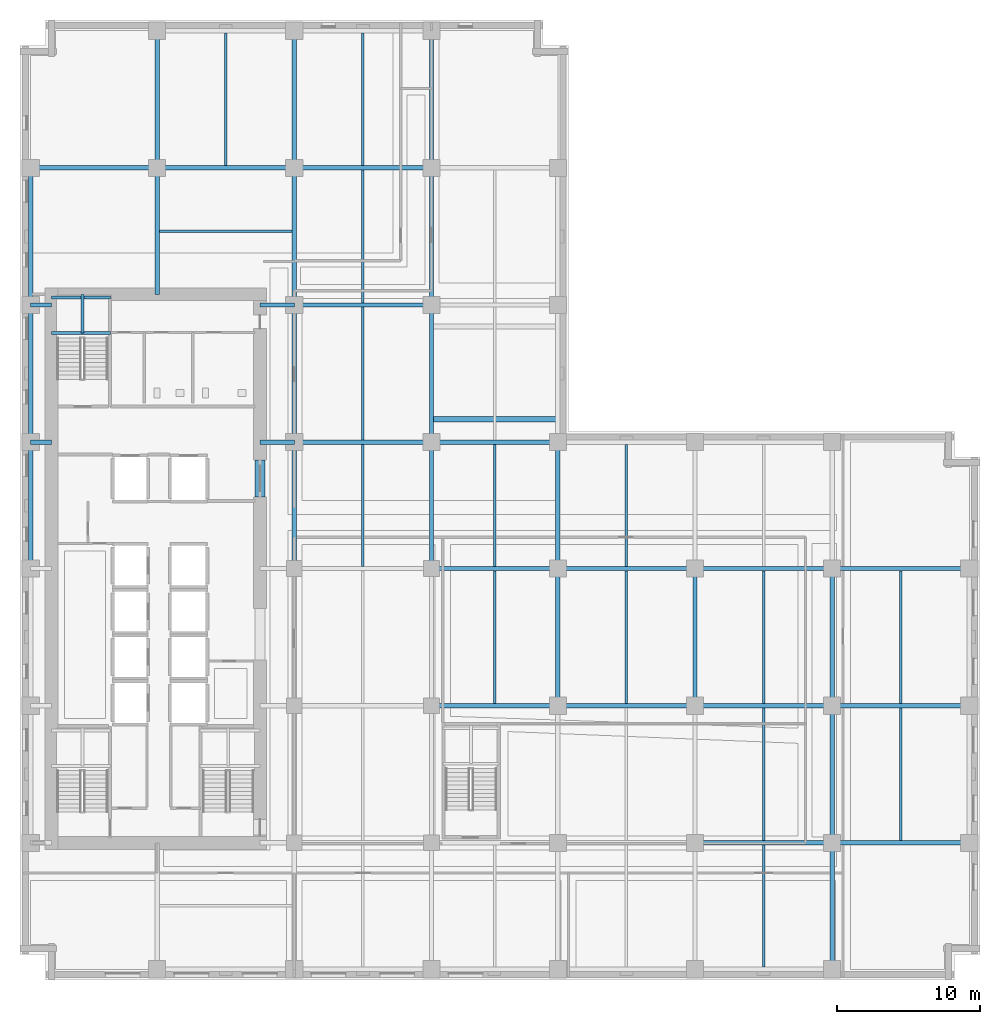
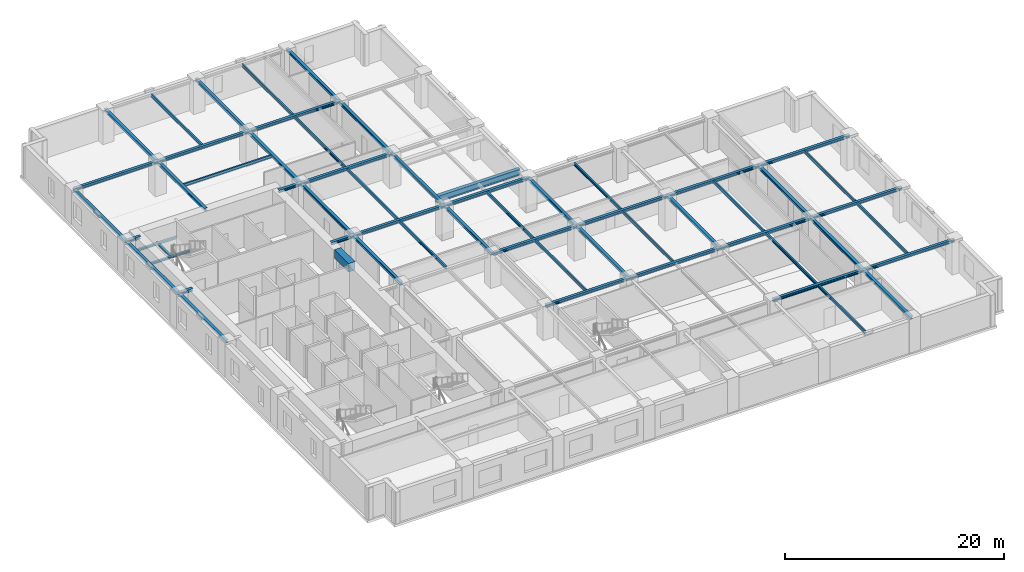
# One storey, part 2 of 13: 59 beams.
"""IFC4 building model written with IfcOpenShell, lengths in metres."""

from ifc_helpers import new_model, si_unit, direction, frame, origin, origin_2d, place, context, subcontext, project, spatial, rectangle, i_section, extrude, material, material_profile, profile_set, type_object, element, save


model = new_model("IFC4")

# Units and contexts
model_context = context("Model", 3, precision=1e-05, world=origin(), true_north=direction((0.0, 1.0)))
body_context = subcontext(model_context, "Body", "Model", "MODEL_VIEW")
ifc_project = project(units=[si_unit("LENGTHUNIT", "METRE"), si_unit("AREAUNIT", "SQUARE_METRE"), si_unit("VOLUMEUNIT", "CUBIC_METRE"), si_unit("PLANEANGLEUNIT", "RADIAN"), si_unit("MASSUNIT", "GRAM", prefix="KILO")], contexts=[model_context])

# Site, building, storey
site_placement = place(None, origin())
site = spatial("IfcSite", under=ifc_project, at=site_placement, CompositionType="ELEMENT")
building_placement = place(site_placement, origin())
building = spatial("IfcBuilding", under=site, at=building_placement, Name="Norrvale University Quadrangle", CompositionType="ELEMENT")
storey_placement = place(building_placement, frame((0.0, 0.0, 54.60009765625)))
storey = spatial("IfcBuildingStorey", under=building, at=storey_placement, Name="L13", CompositionType="ELEMENT", Elevation=54.60009765625)

# Beams
ifc_material_1 = material(Name="Steel 350W", Category="steel")
ifc_material_profile_1 = material_profile(ifc_material_1, i_section(OverallWidth=0.35498046875, OverallDepth=0.695068359375, WebThickness=0.015380859375, FlangeThickness=0.02490234375, FilletRadius=0.01806640625, at=origin_2d()), Name="Steel 350W")
ifc_profile_set_1 = profile_set([ifc_material_profile_1], Name="Steel 350W")
beam_type_1 = type_object("IfcBeamType", Name="Beam Belt W690x217", PredefinedType="BEAM", material=ifc_profile_set_1)
beam_1_placement = place(storey_placement, frame((28.800048828125, 39.25, 3.15234375), z_axis=(1.0, 0.0, 0.0), x_axis=(0.0, 1.0, 0.0)))
element("IfcBeam", 1, at=beam_1_placement, inside=storey, type_object=beam_type_1, Name="Sky Garden Loggia Edge Girder L14-1", PredefinedType="BEAM", context=body_context, shape_type="SweptSolid", body=[
    extrude(i_section(OverallWidth=0.35498046875, OverallDepth=0.695068359375, WebThickness=0.015380859375, FlangeThickness=0.02490234375, FilletRadius=0.01806640625, at=origin_2d()), origin(), (0.0, 0.0, 1.0), 8.849853515625),
])
ifc_material_profile_2 = material_profile(ifc_material_1, i_section(OverallWidth=0.1669921875, OverallDepth=0.31689453125, WebThickness=0.007568359375, FlangeThickness=0.01318359375, FilletRadius=0.010009765625, at=origin_2d()), Name="Steel 350W")
ifc_profile_set_2 = profile_set([ifc_material_profile_2], Name="Steel 350W")
beam_type_2 = type_object("IfcBeamType", Name="Beam Canopy Purlin W310x52", PredefinedType="USERDEFINED", material=ifc_profile_set_2)
beam_2_placement = place(storey_placement, frame((14.39990234375, 57.00244140625, 3.38134765625), z_axis=(0.0, 1.0, 0.0), x_axis=(-1.0, 0.0, 0.0)))
element("IfcBeam", 2, at=beam_2_placement, inside=storey, type_object=beam_type_2, Name="Beam Canopy Purlin W310x52 BM-L13-J079", ObjectType="PURLIN", PredefinedType="USERDEFINED", context=body_context, shape_type="SweptSolid", body=[
    extrude(i_section(OverallWidth=0.1669921875, OverallDepth=0.31689453125, WebThickness=0.007568359375, FlangeThickness=0.01318359375, FilletRadius=0.010009765625, at=origin_2d()), origin(), (0.0, 0.0, 1.0), 9.295166015625),
])
beam_3_placement = place(storey_placement, frame((24.0, 28.952392578125, 3.38134765625), z_axis=(0.0, 1.0, 0.0), x_axis=(-1.0, 0.0, 0.0)))
element("IfcBeam", 3, at=beam_3_placement, inside=storey, type_object=beam_type_2, Name="Beam Canopy Purlin W310x52 BM-L13-J083", ObjectType="PURLIN", PredefinedType="USERDEFINED", context=body_context, shape_type="SweptSolid", body=[
    extrude(i_section(OverallWidth=0.1669921875, OverallDepth=0.31689453125, WebThickness=0.007568359375, FlangeThickness=0.01318359375, FilletRadius=0.010009765625, at=origin_2d()), origin(), (0.0, 0.0, 1.0), 8.545166015625),
])
for number, where, z_axis, x_axis, name in (
    (4, (24.0, 37.802490234375, 3.38134765625), (0.0, 1.0, 0.0), (-1.0, 0.0, 0.0), "Beam Canopy Purlin W310x52 BM-L13-J084"),
    (5, (24.0, 47.402587890625, 3.38134765625), (0.0, 1.0, 0.0), (-1.0, 0.0, 0.0), "Beam Canopy Purlin W310x52 BM-L13-J085"),
):
    element("IfcBeam", number, at=place(storey_placement, frame(where, z_axis=z_axis, x_axis=x_axis)), inside=storey, type_object=beam_type_2, Name=name, ObjectType="PURLIN", PredefinedType="USERDEFINED", context=body_context, shape_type="SweptSolid", body=[
        extrude(i_section(OverallWidth=0.1669921875, OverallDepth=0.31689453125, WebThickness=0.007568359375, FlangeThickness=0.01318359375, FilletRadius=0.010009765625, at=origin_2d()), origin(), (0.0, 0.0, 1.0), 9.294921875),
    ])
beam_4_placement = place(storey_placement, frame((24.0, 57.00244140625, 3.38134765625), z_axis=(0.0, 1.0, 0.0), x_axis=(-1.0, 0.0, 0.0)))
element("IfcBeam", 6, at=beam_4_placement, inside=storey, type_object=beam_type_2, Name="Beam Canopy Purlin W310x52 BM-L13-J086", ObjectType="PURLIN", PredefinedType="USERDEFINED", context=body_context, shape_type="SweptSolid", body=[
    extrude(i_section(OverallWidth=0.1669921875, OverallDepth=0.31689453125, WebThickness=0.007568359375, FlangeThickness=0.01318359375, FilletRadius=0.010009765625, at=origin_2d()), origin(), (0.0, 0.0, 1.0), 9.295166015625),
])
beam_5_placement = place(storey_placement, frame((33.22509765625, 19.3525390625, 3.38134765625), z_axis=(0.0, 1.0, 0.0), x_axis=(-1.0, 0.0, 0.0)))
element("IfcBeam", 7, at=beam_5_placement, inside=storey, type_object=beam_type_2, Name="Beam Canopy Purlin W310x52 BM-L13-J088", ObjectType="PURLIN", PredefinedType="USERDEFINED", context=body_context, shape_type="SweptSolid", body=[
    extrude(i_section(OverallWidth=0.1669921875, OverallDepth=0.31689453125, WebThickness=0.007568359375, FlangeThickness=0.01318359375, FilletRadius=0.010009765625, at=origin_2d()), origin(), (0.0, 0.0, 1.0), 9.294921875),
])
beam_6_placement = place(storey_placement, frame((33.22509765625, 28.952392578125, 3.38134765625), z_axis=(0.0, 1.0, 0.0), x_axis=(-1.0, 0.0, 0.0)))
element("IfcBeam", 8, at=beam_6_placement, inside=storey, type_object=beam_type_2, Name="Beam Canopy Purlin W310x52 BM-L13-J089", ObjectType="PURLIN", PredefinedType="USERDEFINED", context=body_context, shape_type="SweptSolid", body=[
    extrude(i_section(OverallWidth=0.1669921875, OverallDepth=0.31689453125, WebThickness=0.007568359375, FlangeThickness=0.01318359375, FilletRadius=0.010009765625, at=origin_2d()), origin(), (0.0, 0.0, 1.0), 8.545166015625),
])
beam_7_placement = place(storey_placement, frame((42.449951171875, 19.3525390625, 3.38134765625), z_axis=(0.0, 1.0, 0.0), x_axis=(-1.0, 0.0, 0.0)))
element("IfcBeam", 9, at=beam_7_placement, inside=storey, type_object=beam_type_2, Name="Beam Canopy Purlin W310x52 BM-L13-J094", ObjectType="PURLIN", PredefinedType="USERDEFINED", context=body_context, shape_type="SweptSolid", body=[
    extrude(i_section(OverallWidth=0.1669921875, OverallDepth=0.31689453125, WebThickness=0.007568359375, FlangeThickness=0.01318359375, FilletRadius=0.010009765625, at=origin_2d()), origin(), (0.0, 0.0, 1.0), 9.294921875),
])
beam_8_placement = place(storey_placement, frame((42.449951171875, 28.952392578125, 3.38134765625), z_axis=(0.0, 1.0, 0.0), x_axis=(-1.0, 0.0, 0.0)))
element("IfcBeam", 10, at=beam_8_placement, inside=storey, type_object=beam_type_2, Name="Beam Canopy Purlin W310x52 BM-L13-J095", ObjectType="PURLIN", PredefinedType="USERDEFINED", context=body_context, shape_type="SweptSolid", body=[
    extrude(i_section(OverallWidth=0.1669921875, OverallDepth=0.31689453125, WebThickness=0.007568359375, FlangeThickness=0.01318359375, FilletRadius=0.010009765625, at=origin_2d()), origin(), (0.0, 0.0, 1.0), 8.545166015625),
])
beam_9_placement = place(storey_placement, frame((52.050048828125, 0.902587890625, 3.38134765625), z_axis=(0.0, 1.0, 0.0), x_axis=(-1.0, 0.0, 0.0)))
element("IfcBeam", 11, at=beam_9_placement, inside=storey, type_object=beam_type_2, Name="Beam Canopy Purlin W310x52 BM-L13-J096", ObjectType="PURLIN", PredefinedType="USERDEFINED", context=body_context, shape_type="SweptSolid", body=[
    extrude(i_section(OverallWidth=0.1669921875, OverallDepth=0.31689453125, WebThickness=0.007568359375, FlangeThickness=0.01318359375, FilletRadius=0.010009765625, at=origin_2d()), origin(), (0.0, 0.0, 1.0), 8.544921875),
])
beam_10_placement = place(storey_placement, frame((52.050048828125, 9.75244140625, 3.38134765625), z_axis=(0.0, 1.0, 0.0), x_axis=(-1.0, 0.0, 0.0)))
element("IfcBeam", 12, at=beam_10_placement, inside=storey, type_object=beam_type_2, Name="Beam Canopy Purlin W310x52 BM-L13-J097", ObjectType="PURLIN", PredefinedType="USERDEFINED", context=body_context, shape_type="SweptSolid", body=[
    extrude(i_section(OverallWidth=0.1669921875, OverallDepth=0.31689453125, WebThickness=0.007568359375, FlangeThickness=0.01318359375, FilletRadius=0.010009765625, at=origin_2d()), origin(), (0.0, 0.0, 1.0), 9.295166015625),
])
beam_11_placement = place(storey_placement, frame((52.050048828125, 19.3525390625, 3.38134765625), z_axis=(0.0, 1.0, 0.0), x_axis=(-1.0, 0.0, 0.0)))
element("IfcBeam", 13, at=beam_11_placement, inside=storey, type_object=beam_type_2, Name="Beam Canopy Purlin W310x52 BM-L13-J098", ObjectType="PURLIN", PredefinedType="USERDEFINED", context=body_context, shape_type="SweptSolid", body=[
    extrude(i_section(OverallWidth=0.1669921875, OverallDepth=0.31689453125, WebThickness=0.007568359375, FlangeThickness=0.01318359375, FilletRadius=0.010009765625, at=origin_2d()), origin(), (0.0, 0.0, 1.0), 9.294921875),
])
beam_12_placement = place(storey_placement, frame((61.64990234375, 9.75244140625, 3.38134765625), z_axis=(0.0, 1.0, 0.0), x_axis=(-1.0, 0.0, 0.0)))
element("IfcBeam", 14, at=beam_12_placement, inside=storey, type_object=beam_type_2, Name="Beam Canopy Purlin W310x52 BM-L13-J100", ObjectType="PURLIN", PredefinedType="USERDEFINED", context=body_context, shape_type="SweptSolid", body=[
    extrude(i_section(OverallWidth=0.1669921875, OverallDepth=0.31689453125, WebThickness=0.007568359375, FlangeThickness=0.01318359375, FilletRadius=0.010009765625, at=origin_2d()), origin(), (0.0, 0.0, 1.0), 9.295166015625),
])
beam_13_placement = place(storey_placement, frame((61.64990234375, 19.3525390625, 3.38134765625), z_axis=(0.0, 1.0, 0.0), x_axis=(-1.0, 0.0, 0.0)))
element("IfcBeam", 15, at=beam_13_placement, inside=storey, type_object=beam_type_2, Name="Beam Canopy Purlin W310x52 BM-L13-J101", ObjectType="PURLIN", PredefinedType="USERDEFINED", context=body_context, shape_type="SweptSolid", body=[
    extrude(i_section(OverallWidth=0.1669921875, OverallDepth=0.31689453125, WebThickness=0.007568359375, FlangeThickness=0.01318359375, FilletRadius=0.010009765625, at=origin_2d()), origin(), (0.0, 0.0, 1.0), 9.294921875),
])
beam_14_placement = place(storey_placement, frame((9.75244140625, 52.39990234375, 3.38134765625), z_axis=(1.0, 0.0, 0.0), x_axis=(0.0, 1.0, 0.0)))
element("IfcBeam", 16, at=beam_14_placement, inside=storey, type_object=beam_type_2, Name="Beam Canopy Purlin W310x52 BM-L13-JCN105", ObjectType="PURLIN", PredefinedType="USERDEFINED", context=body_context, shape_type="SweptSolid", body=[
    extrude(i_section(OverallWidth=0.1669921875, OverallDepth=0.31689453125, WebThickness=0.007568359375, FlangeThickness=0.01318359375, FilletRadius=0.010009765625, at=origin_2d()), origin(), (0.0, 0.0, 1.0), 9.295166015625),
])
ifc_material_profile_3 = material_profile(ifc_material_1, i_section(OverallWidth=0.304931640625, OverallDepth=0.30810546875, WebThickness=0.010009765625, FlangeThickness=0.015380859375, FilletRadius=0.014892578125, at=origin_2d()), Name="Steel 350W")
ifc_profile_set_3 = profile_set([ifc_material_profile_3], Name="Steel 350W")
beam_type_3 = type_object("IfcBeamType", Name="Beam Canopy W310x97", PredefinedType="BEAM", material=ifc_profile_set_3)
beam_15_placement = place(storey_placement, frame((47.25, 9.60009765625, 3.385986328125), z_axis=(1.0, 0.0, 0.0), x_axis=(0.0, 1.0, 0.0)))
element("IfcBeam", 17, at=beam_15_placement, inside=storey, type_object=beam_type_3, Name="Beam Canopy W310x97 BM-L13-GX009", PredefinedType="BEAM", context=body_context, shape_type="SweptSolid", body=[
    extrude(i_section(OverallWidth=0.304931640625, OverallDepth=0.30810546875, WebThickness=0.010009765625, FlangeThickness=0.015380859375, FilletRadius=0.014892578125, at=origin_2d()), origin(), (0.0, 0.0, 1.0), 9.60009765625),
])
beam_16_placement = place(storey_placement, frame((56.85009765625, 9.60009765625, 3.385986328125), z_axis=(1.0, 0.0, 0.0), x_axis=(0.0, 1.0, 0.0)))
element("IfcBeam", 18, at=beam_16_placement, inside=storey, type_object=beam_type_3, Name="Beam Canopy W310x97 BM-L13-GX010", PredefinedType="BEAM", context=body_context, shape_type="SweptSolid", body=[
    extrude(i_section(OverallWidth=0.304931640625, OverallDepth=0.30810546875, WebThickness=0.010009765625, FlangeThickness=0.015380859375, FilletRadius=0.014892578125, at=origin_2d()), origin(), (0.0, 0.0, 1.0), 9.599853515625),
])
beam_17_placement = place(storey_placement, frame((28.800048828125, 19.199951171875, 3.385986328125), z_axis=(1.0, 0.0, 0.0), x_axis=(0.0, 1.0, 0.0)))
element("IfcBeam", 19, at=beam_17_placement, inside=storey, type_object=beam_type_3, Name="Beam Canopy W310x97 BM-L13-GX012", PredefinedType="BEAM", context=body_context, shape_type="SweptSolid", body=[
    extrude(i_section(OverallWidth=0.304931640625, OverallDepth=0.30810546875, WebThickness=0.010009765625, FlangeThickness=0.015380859375, FilletRadius=0.014892578125, at=origin_2d()), origin(), (0.0, 0.0, 1.0), 8.849853515625),
])
for number, where, z_axis, x_axis, name in (
    (20, (37.64990234375, 19.199951171875, 3.385986328125), (1.0, 0.0, 0.0), (0.0, 1.0, 0.0), "Beam Canopy W310x97 BM-L13-GX013"),
    (21, (47.25, 19.199951171875, 3.385986328125), (1.0, 0.0, 0.0), (0.0, 1.0, 0.0), "Beam Canopy W310x97 BM-L13-GX014"),
):
    element("IfcBeam", number, at=place(storey_placement, frame(where, z_axis=z_axis, x_axis=x_axis)), inside=storey, type_object=beam_type_3, Name=name, PredefinedType="BEAM", context=body_context, shape_type="SweptSolid", body=[
        extrude(i_section(OverallWidth=0.304931640625, OverallDepth=0.30810546875, WebThickness=0.010009765625, FlangeThickness=0.015380859375, FilletRadius=0.014892578125, at=origin_2d()), origin(), (0.0, 0.0, 1.0), 9.60009765625),
    ])
beam_18_placement = place(storey_placement, frame((56.85009765625, 19.199951171875, 3.385986328125), z_axis=(1.0, 0.0, 0.0), x_axis=(0.0, 1.0, 0.0)))
element("IfcBeam", 22, at=beam_18_placement, inside=storey, type_object=beam_type_3, Name="Beam Canopy W310x97 BM-L13-GX015", PredefinedType="BEAM", context=body_context, shape_type="SweptSolid", body=[
    extrude(i_section(OverallWidth=0.304931640625, OverallDepth=0.30810546875, WebThickness=0.010009765625, FlangeThickness=0.015380859375, FilletRadius=0.014892578125, at=origin_2d()), origin(), (0.0, 0.0, 1.0), 9.599853515625),
])
beam_19_placement = place(storey_placement, frame((28.800048828125, 28.800048828125, 3.385986328125), z_axis=(1.0, 0.0, 0.0), x_axis=(0.0, 1.0, 0.0)))
element("IfcBeam", 23, at=beam_19_placement, inside=storey, type_object=beam_type_3, Name="Beam Canopy W310x97 BM-L13-GX017", PredefinedType="BEAM", context=body_context, shape_type="SweptSolid", body=[
    extrude(i_section(OverallWidth=0.304931640625, OverallDepth=0.30810546875, WebThickness=0.010009765625, FlangeThickness=0.015380859375, FilletRadius=0.014892578125, at=origin_2d()), origin(), (0.0, 0.0, 1.0), 8.849853515625),
])
for number, where, z_axis, x_axis, name in (
    (24, (37.64990234375, 28.800048828125, 3.385986328125), (1.0, 0.0, 0.0), (0.0, 1.0, 0.0), "Beam Canopy W310x97 BM-L13-GX018"),
    (25, (47.25, 28.800048828125, 3.385986328125), (1.0, 0.0, 0.0), (0.0, 1.0, 0.0), "Beam Canopy W310x97 BM-L13-GX019"),
):
    element("IfcBeam", number, at=place(storey_placement, frame(where, z_axis=z_axis, x_axis=x_axis)), inside=storey, type_object=beam_type_3, Name=name, PredefinedType="BEAM", context=body_context, shape_type="SweptSolid", body=[
        extrude(i_section(OverallWidth=0.304931640625, OverallDepth=0.30810546875, WebThickness=0.010009765625, FlangeThickness=0.015380859375, FilletRadius=0.014892578125, at=origin_2d()), origin(), (0.0, 0.0, 1.0), 9.60009765625),
    ])
beam_20_placement = place(storey_placement, frame((56.85009765625, 28.800048828125, 3.385986328125), z_axis=(1.0, 0.0, 0.0), x_axis=(0.0, 1.0, 0.0)))
element("IfcBeam", 26, at=beam_20_placement, inside=storey, type_object=beam_type_3, Name="Beam Canopy W310x97 BM-L13-GX020", PredefinedType="BEAM", context=body_context, shape_type="SweptSolid", body=[
    extrude(i_section(OverallWidth=0.304931640625, OverallDepth=0.30810546875, WebThickness=0.010009765625, FlangeThickness=0.015380859375, FilletRadius=0.014892578125, at=origin_2d()), origin(), (0.0, 0.0, 1.0), 9.599853515625),
])
beam_21_placement = place(storey_placement, frame((19.199951171875, 37.64990234375, 3.385986328125), z_axis=(1.0, 0.0, 0.0), x_axis=(0.0, 1.0, 0.0)))
element("IfcBeam", 27, at=beam_21_placement, inside=storey, type_object=beam_type_3, Name="Beam Canopy W310x97 BM-L13-GX021", PredefinedType="BEAM", context=body_context, shape_type="SweptSolid", body=[
    extrude(i_section(OverallWidth=0.304931640625, OverallDepth=0.30810546875, WebThickness=0.010009765625, FlangeThickness=0.015380859375, FilletRadius=0.014892578125, at=origin_2d()), origin(), (0.0, 0.0, 1.0), 9.60009765625),
])
beam_22_placement = place(storey_placement, frame((28.800048828125, 37.64990234375, 3.385986328125), z_axis=(1.0, 0.0, 0.0), x_axis=(0.0, 1.0, 0.0)))
element("IfcBeam", 28, at=beam_22_placement, inside=storey, type_object=beam_type_3, Name="Beam Canopy W310x97 BM-L13-GX022", PredefinedType="BEAM", context=body_context, shape_type="SweptSolid", body=[
    extrude(i_section(OverallWidth=0.304931640625, OverallDepth=0.30810546875, WebThickness=0.010009765625, FlangeThickness=0.015380859375, FilletRadius=0.014892578125, at=origin_2d()), origin(), (0.0, 0.0, 1.0), 8.849853515625),
])
beam_23_placement = place(storey_placement, frame((19.199951171875, 47.25, 3.385986328125), z_axis=(1.0, 0.0, 0.0), x_axis=(0.0, 1.0, 0.0)))
element("IfcBeam", 29, at=beam_23_placement, inside=storey, type_object=beam_type_3, Name="Beam Canopy W310x97 BM-L13-GX025", PredefinedType="BEAM", context=body_context, shape_type="SweptSolid", body=[
    extrude(i_section(OverallWidth=0.304931640625, OverallDepth=0.30810546875, WebThickness=0.010009765625, FlangeThickness=0.015380859375, FilletRadius=0.014892578125, at=origin_2d()), origin(), (0.0, 0.0, 1.0), 9.60009765625),
])
beam_24_placement = place(storey_placement, frame((0.75, 56.85009765625, 3.385986328125), z_axis=(1.0, 0.0, 0.0), x_axis=(0.0, 1.0, 0.0)))
element("IfcBeam", 30, at=beam_24_placement, inside=storey, type_object=beam_type_3, Name="Beam Canopy W310x97 BM-L13-GX027", PredefinedType="BEAM", context=body_context, shape_type="SweptSolid", body=[
    extrude(i_section(OverallWidth=0.304931640625, OverallDepth=0.30810546875, WebThickness=0.010009765625, FlangeThickness=0.015380859375, FilletRadius=0.014892578125, at=origin_2d()), origin(), (0.0, 0.0, 1.0), 8.85009765625),
])
beam_25_placement = place(storey_placement, frame((9.60009765625, 56.85009765625, 3.385986328125), z_axis=(1.0, 0.0, 0.0), x_axis=(0.0, 1.0, 0.0)))
element("IfcBeam", 31, at=beam_25_placement, inside=storey, type_object=beam_type_3, Name="Beam Canopy W310x97 BM-L13-GX028", PredefinedType="BEAM", context=body_context, shape_type="SweptSolid", body=[
    extrude(i_section(OverallWidth=0.304931640625, OverallDepth=0.30810546875, WebThickness=0.010009765625, FlangeThickness=0.015380859375, FilletRadius=0.014892578125, at=origin_2d()), origin(), (0.0, 0.0, 1.0), 9.599853515625),
])
beam_26_placement = place(storey_placement, frame((19.199951171875, 56.85009765625, 3.385986328125), z_axis=(1.0, 0.0, 0.0), x_axis=(0.0, 1.0, 0.0)))
element("IfcBeam", 32, at=beam_26_placement, inside=storey, type_object=beam_type_3, Name="Beam Canopy W310x97 BM-L13-GX029", PredefinedType="BEAM", context=body_context, shape_type="SweptSolid", body=[
    extrude(i_section(OverallWidth=0.304931640625, OverallDepth=0.30810546875, WebThickness=0.010009765625, FlangeThickness=0.015380859375, FilletRadius=0.014892578125, at=origin_2d()), origin(), (0.0, 0.0, 1.0), 9.60009765625),
])
beam_27_placement = place(storey_placement, frame((0.75, 28.800048828125, 3.385986328125), z_axis=(0.0, 1.0, 0.0), x_axis=(-1.0, 0.0, 0.0)))
element("IfcBeam", 33, at=beam_27_placement, inside=storey, type_object=beam_type_3, Name="Beam Canopy W310x97 BM-L13-GY035", PredefinedType="BEAM", context=body_context, shape_type="SweptSolid", body=[
    extrude(i_section(OverallWidth=0.304931640625, OverallDepth=0.30810546875, WebThickness=0.010009765625, FlangeThickness=0.015380859375, FilletRadius=0.014892578125, at=origin_2d()), origin(), (0.0, 0.0, 1.0), 8.849853515625),
])
for number, where, z_axis, x_axis, name in (
    (34, (0.75, 37.64990234375, 3.385986328125), (0.0, 1.0, 0.0), (-1.0, 0.0, 0.0), "Beam Canopy W310x97 BM-L13-GY036"),
    (35, (0.75, 47.25, 3.385986328125), (0.0, 1.0, 0.0), (-1.0, 0.0, 0.0), "Beam Canopy W310x97 BM-L13-GY037"),
):
    element("IfcBeam", number, at=place(storey_placement, frame(where, z_axis=z_axis, x_axis=x_axis)), inside=storey, type_object=beam_type_3, Name=name, PredefinedType="BEAM", context=body_context, shape_type="SweptSolid", body=[
        extrude(i_section(OverallWidth=0.304931640625, OverallDepth=0.30810546875, WebThickness=0.010009765625, FlangeThickness=0.015380859375, FilletRadius=0.014892578125, at=origin_2d()), origin(), (0.0, 0.0, 1.0), 9.60009765625),
    ])
beam_28_placement = place(storey_placement, frame((9.60009765625, 56.85009765625, 3.385986328125), z_axis=(0.0, 1.0, 0.0), x_axis=(-1.0, 0.0, 0.0)))
element("IfcBeam", 36, at=beam_28_placement, inside=storey, type_object=beam_type_3, Name="Beam Canopy W310x97 BM-L13-GY038", PredefinedType="BEAM", context=body_context, shape_type="SweptSolid", body=[
    extrude(i_section(OverallWidth=0.304931640625, OverallDepth=0.30810546875, WebThickness=0.010009765625, FlangeThickness=0.015380859375, FilletRadius=0.014892578125, at=origin_2d()), origin(), (0.0, 0.0, 1.0), 9.599853515625),
])
beam_29_placement = place(storey_placement, frame((19.199951171875, 28.800048828125, 3.385986328125), z_axis=(0.0, 1.0, 0.0), x_axis=(-1.0, 0.0, 0.0)))
element("IfcBeam", 37, at=beam_29_placement, inside=storey, type_object=beam_type_3, Name="Beam Canopy W310x97 BM-L13-GY042", PredefinedType="BEAM", context=body_context, shape_type="SweptSolid", body=[
    extrude(i_section(OverallWidth=0.304931640625, OverallDepth=0.30810546875, WebThickness=0.010009765625, FlangeThickness=0.015380859375, FilletRadius=0.014892578125, at=origin_2d()), origin(), (0.0, 0.0, 1.0), 8.849853515625),
])
for number, where, z_axis, x_axis, name in (
    (38, (19.199951171875, 37.64990234375, 3.385986328125), (0.0, 1.0, 0.0), (-1.0, 0.0, 0.0), "Beam Canopy W310x97 BM-L13-GY043"),
    (39, (19.199951171875, 47.25, 3.385986328125), (0.0, 1.0, 0.0), (-1.0, 0.0, 0.0), "Beam Canopy W310x97 BM-L13-GY044"),
):
    element("IfcBeam", number, at=place(storey_placement, frame(where, z_axis=z_axis, x_axis=x_axis)), inside=storey, type_object=beam_type_3, Name=name, PredefinedType="BEAM", context=body_context, shape_type="SweptSolid", body=[
        extrude(i_section(OverallWidth=0.304931640625, OverallDepth=0.30810546875, WebThickness=0.010009765625, FlangeThickness=0.015380859375, FilletRadius=0.014892578125, at=origin_2d()), origin(), (0.0, 0.0, 1.0), 9.60009765625),
    ])
beam_30_placement = place(storey_placement, frame((19.199951171875, 56.85009765625, 3.385986328125), z_axis=(0.0, 1.0, 0.0), x_axis=(-1.0, 0.0, 0.0)))
element("IfcBeam", 40, at=beam_30_placement, inside=storey, type_object=beam_type_3, Name="Beam Canopy W310x97 BM-L13-GY045", PredefinedType="BEAM", context=body_context, shape_type="SweptSolid", body=[
    extrude(i_section(OverallWidth=0.304931640625, OverallDepth=0.30810546875, WebThickness=0.010009765625, FlangeThickness=0.015380859375, FilletRadius=0.014892578125, at=origin_2d()), origin(), (0.0, 0.0, 1.0), 9.599853515625),
])
beam_31_placement = place(storey_placement, frame((28.800048828125, 28.800048828125, 3.385986328125), z_axis=(0.0, 1.0, 0.0), x_axis=(-1.0, 0.0, 0.0)))
element("IfcBeam", 41, at=beam_31_placement, inside=storey, type_object=beam_type_3, Name="Beam Canopy W310x97 BM-L13-GY049", PredefinedType="BEAM", context=body_context, shape_type="SweptSolid", body=[
    extrude(i_section(OverallWidth=0.304931640625, OverallDepth=0.30810546875, WebThickness=0.010009765625, FlangeThickness=0.015380859375, FilletRadius=0.014892578125, at=origin_2d()), origin(), (0.0, 0.0, 1.0), 8.849853515625),
])
for number, where, z_axis, x_axis, name in (
    (42, (28.800048828125, 37.64990234375, 3.385986328125), (0.0, 1.0, 0.0), (-1.0, 0.0, 0.0), "Beam Canopy W310x97 BM-L13-GY050"),
    (43, (28.800048828125, 47.25, 3.385986328125), (0.0, 1.0, 0.0), (-1.0, 0.0, 0.0), "Beam Canopy W310x97 BM-L13-GY051"),
):
    element("IfcBeam", number, at=place(storey_placement, frame(where, z_axis=z_axis, x_axis=x_axis)), inside=storey, type_object=beam_type_3, Name=name, PredefinedType="BEAM", context=body_context, shape_type="SweptSolid", body=[
        extrude(i_section(OverallWidth=0.304931640625, OverallDepth=0.30810546875, WebThickness=0.010009765625, FlangeThickness=0.015380859375, FilletRadius=0.014892578125, at=origin_2d()), origin(), (0.0, 0.0, 1.0), 9.60009765625),
    ])
beam_32_placement = place(storey_placement, frame((28.800048828125, 56.85009765625, 3.385986328125), z_axis=(0.0, 1.0, 0.0), x_axis=(-1.0, 0.0, 0.0)))
element("IfcBeam", 44, at=beam_32_placement, inside=storey, type_object=beam_type_3, Name="Beam Canopy W310x97 BM-L13-GY052", PredefinedType="BEAM", context=body_context, shape_type="SweptSolid", body=[
    extrude(i_section(OverallWidth=0.304931640625, OverallDepth=0.30810546875, WebThickness=0.010009765625, FlangeThickness=0.015380859375, FilletRadius=0.014892578125, at=origin_2d()), origin(), (0.0, 0.0, 1.0), 9.599853515625),
])
beam_33_placement = place(storey_placement, frame((37.64990234375, 19.199951171875, 3.385986328125), z_axis=(0.0, 1.0, 0.0), x_axis=(-1.0, 0.0, 0.0)))
element("IfcBeam", 45, at=beam_33_placement, inside=storey, type_object=beam_type_3, Name="Beam Canopy W310x97 BM-L13-GY055", PredefinedType="BEAM", context=body_context, shape_type="SweptSolid", body=[
    extrude(i_section(OverallWidth=0.304931640625, OverallDepth=0.30810546875, WebThickness=0.010009765625, FlangeThickness=0.015380859375, FilletRadius=0.014892578125, at=origin_2d()), origin(), (0.0, 0.0, 1.0), 9.60009765625),
])
beam_34_placement = place(storey_placement, frame((37.64990234375, 28.800048828125, 3.385986328125), z_axis=(0.0, 1.0, 0.0), x_axis=(-1.0, 0.0, 0.0)))
element("IfcBeam", 46, at=beam_34_placement, inside=storey, type_object=beam_type_3, Name="Beam Canopy W310x97 BM-L13-GY056", PredefinedType="BEAM", context=body_context, shape_type="SweptSolid", body=[
    extrude(i_section(OverallWidth=0.304931640625, OverallDepth=0.30810546875, WebThickness=0.010009765625, FlangeThickness=0.015380859375, FilletRadius=0.014892578125, at=origin_2d()), origin(), (0.0, 0.0, 1.0), 8.849853515625),
])
beam_35_placement = place(storey_placement, frame((47.25, 19.199951171875, 3.385986328125), z_axis=(0.0, 1.0, 0.0), x_axis=(-1.0, 0.0, 0.0)))
element("IfcBeam", 47, at=beam_35_placement, inside=storey, type_object=beam_type_3, Name="Beam Canopy W310x97 BM-L13-GY061", PredefinedType="BEAM", context=body_context, shape_type="SweptSolid", body=[
    extrude(i_section(OverallWidth=0.304931640625, OverallDepth=0.30810546875, WebThickness=0.010009765625, FlangeThickness=0.015380859375, FilletRadius=0.014892578125, at=origin_2d()), origin(), (0.0, 0.0, 1.0), 9.60009765625),
])
beam_36_placement = place(storey_placement, frame((56.85009765625, 0.75, 3.385986328125), z_axis=(0.0, 1.0, 0.0), x_axis=(-1.0, 0.0, 0.0)))
element("IfcBeam", 48, at=beam_36_placement, inside=storey, type_object=beam_type_3, Name="Beam Canopy W310x97 BM-L13-GY063", PredefinedType="BEAM", context=body_context, shape_type="SweptSolid", body=[
    extrude(i_section(OverallWidth=0.304931640625, OverallDepth=0.30810546875, WebThickness=0.010009765625, FlangeThickness=0.015380859375, FilletRadius=0.014892578125, at=origin_2d()), origin(), (0.0, 0.0, 1.0), 8.85009765625),
])
beam_37_placement = place(storey_placement, frame((56.85009765625, 9.60009765625, 3.385986328125), z_axis=(0.0, 1.0, 0.0), x_axis=(-1.0, 0.0, 0.0)))
element("IfcBeam", 49, at=beam_37_placement, inside=storey, type_object=beam_type_3, Name="Beam Canopy W310x97 BM-L13-GY064", PredefinedType="BEAM", context=body_context, shape_type="SweptSolid", body=[
    extrude(i_section(OverallWidth=0.304931640625, OverallDepth=0.30810546875, WebThickness=0.010009765625, FlangeThickness=0.015380859375, FilletRadius=0.014892578125, at=origin_2d()), origin(), (0.0, 0.0, 1.0), 9.599853515625),
])
beam_38_placement = place(storey_placement, frame((56.85009765625, 19.199951171875, 3.385986328125), z_axis=(0.0, 1.0, 0.0), x_axis=(-1.0, 0.0, 0.0)))
element("IfcBeam", 50, at=beam_38_placement, inside=storey, type_object=beam_type_3, Name="Beam Canopy W310x97 BM-L13-GY065", PredefinedType="BEAM", context=body_context, shape_type="SweptSolid", body=[
    extrude(i_section(OverallWidth=0.304931640625, OverallDepth=0.30810546875, WebThickness=0.010009765625, FlangeThickness=0.015380859375, FilletRadius=0.014892578125, at=origin_2d()), origin(), (0.0, 0.0, 1.0), 9.60009765625),
])
beam_39_placement = place(storey_placement, frame((0.75, 37.64990234375, 3.385986328125), z_axis=(1.0, 0.0, 0.0), x_axis=(0.0, 1.0, 0.0)))
element("IfcBeam", 51, at=beam_39_placement, inside=storey, type_object=beam_type_3, Name="Beam Canopy W310x97 BM-L13-GCW075", PredefinedType="BEAM", context=body_context, shape_type="SweptSolid", body=[
    extrude(i_section(OverallWidth=0.304931640625, OverallDepth=0.30810546875, WebThickness=0.010009765625, FlangeThickness=0.015380859375, FilletRadius=0.014892578125, at=origin_2d()), origin(), (0.0, 0.0, 1.0), 1.449951171875),
])
beam_40_placement = place(storey_placement, frame((16.800048828125, 37.64990234375, 3.385986328125), z_axis=(1.0, 0.0, 0.0), x_axis=(0.0, 1.0, 0.0)))
element("IfcBeam", 52, at=beam_40_placement, inside=storey, type_object=beam_type_3, Name="Beam Canopy W310x97 BM-L13-GCE076", PredefinedType="BEAM", context=body_context, shape_type="SweptSolid", body=[
    extrude(i_section(OverallWidth=0.304931640625, OverallDepth=0.30810546875, WebThickness=0.010009765625, FlangeThickness=0.015380859375, FilletRadius=0.014892578125, at=origin_2d()), origin(), (0.0, 0.0, 1.0), 2.39990234375),
])
beam_41_placement = place(storey_placement, frame((0.75, 47.25, 3.385986328125), z_axis=(1.0, 0.0, 0.0), x_axis=(0.0, 1.0, 0.0)))
element("IfcBeam", 53, at=beam_41_placement, inside=storey, type_object=beam_type_3, Name="Beam Canopy W310x97 BM-L13-GCW077", PredefinedType="BEAM", context=body_context, shape_type="SweptSolid", body=[
    extrude(i_section(OverallWidth=0.304931640625, OverallDepth=0.30810546875, WebThickness=0.010009765625, FlangeThickness=0.015380859375, FilletRadius=0.014892578125, at=origin_2d()), origin(), (0.0, 0.0, 1.0), 1.449951171875),
])
beam_42_placement = place(storey_placement, frame((16.800048828125, 47.25, 3.385986328125), z_axis=(1.0, 0.0, 0.0), x_axis=(0.0, 1.0, 0.0)))
element("IfcBeam", 54, at=beam_42_placement, inside=storey, type_object=beam_type_3, Name="Beam Canopy W310x97 BM-L13-GCE078", PredefinedType="BEAM", context=body_context, shape_type="SweptSolid", body=[
    extrude(i_section(OverallWidth=0.304931640625, OverallDepth=0.30810546875, WebThickness=0.010009765625, FlangeThickness=0.015380859375, FilletRadius=0.014892578125, at=origin_2d()), origin(), (0.0, 0.0, 1.0), 2.39990234375),
])
beam_43_placement = place(storey_placement, frame((9.60009765625, 48.0, 3.385986328125), z_axis=(0.0, 1.0, 0.0), x_axis=(-1.0, 0.0, 0.0)))
element("IfcBeam", 55, at=beam_43_placement, inside=storey, type_object=beam_type_3, Name="Beam Canopy W310x97 BM-L13-GCN104", PredefinedType="BEAM", context=body_context, shape_type="SweptSolid", body=[
    extrude(i_section(OverallWidth=0.304931640625, OverallDepth=0.30810546875, WebThickness=0.010009765625, FlangeThickness=0.015380859375, FilletRadius=0.014892578125, at=origin_2d()), origin(), (0.0, 0.0, 1.0), 8.85009765625),
])
ifc_material_2 = material(Name="Concrete C80/95", Category="concrete")
ifc_material_profile_4 = material_profile(ifc_material_2, rectangle(XDim=0.699951171875, YDim=0.949951171875, at=origin_2d()), Name="Concrete C80/95")
ifc_profile_set_4 = profile_set([ifc_material_profile_4], Name="Concrete C80/95")
beam_type_4 = type_object("IfcBeamType", Name="Beam Core Link 700x950", PredefinedType="LINTEL", material=ifc_profile_set_4)
beam_44_placement = place(storey_placement, frame((16.800048828125, 33.800048828125, 3.06494140625), z_axis=(0.0, 1.0, 0.0), x_axis=(-1.0, 0.0, 0.0)))
element("IfcBeam", 56, at=beam_44_placement, inside=storey, type_object=beam_type_4, Name="Core Coupling Lintel Beam L13-2", PredefinedType="LINTEL", context=body_context, shape_type="SweptSolid", body=[
    extrude(rectangle(XDim=0.699951171875, YDim=0.949951171875, at=origin_2d()), origin(), (0.0, 0.0, 1.0), 2.599853515625),
])
ifc_material_profile_5 = material_profile(ifc_material_1, i_section(OverallWidth=0.201904296875, OverallDepth=0.2470703125, WebThickness=0.00732421875, FlangeThickness=0.010986328125, FilletRadius=0.011962890625, at=origin_2d()), Name="Steel 350W")
ifc_profile_set_5 = profile_set([ifc_material_profile_5], Name="Steel 350W")
beam_type_5 = type_object("IfcBeamType", Name="Beam Stair W250x49", PredefinedType="BEAM", material=ifc_profile_set_5)
for number, where, z_axis, x_axis, name in (
    (57, (2.199951171875, 45.2900390625, 1.576416015625), (1.0, 0.0, 0.0), (0.0, 1.0, 0.0), "Stair Mid-Landing Front Beam ST-02 L13"),
    (58, (2.199951171875, 47.77001953125, 1.576416015625), (1.0, 0.0, 0.0), (0.0, 1.0, 0.0), "Stair Mid-Landing Rear Beam ST-02 L13"),
):
    element("IfcBeam", number, at=place(storey_placement, frame(where, z_axis=z_axis, x_axis=x_axis)), inside=storey, type_object=beam_type_5, Name=name, PredefinedType="BEAM", context=body_context, shape_type="SweptSolid", body=[
        extrude(i_section(OverallWidth=0.201904296875, OverallDepth=0.2470703125, WebThickness=0.00732421875, FlangeThickness=0.010986328125, FilletRadius=0.011962890625, at=origin_2d()), origin(), (0.0, 0.0, 1.0), 4.14013671875),
    ])
ifc_material_profile_6 = material_profile(ifc_material_1, i_section(OverallWidth=0.202880859375, OverallDepth=0.202880859375, WebThickness=0.007080078125, FlangeThickness=0.010986328125, FilletRadius=0.010009765625, at=origin_2d()), Name="Steel 350W")
ifc_profile_set_6 = profile_set([ifc_material_profile_6], Name="Steel 350W")
beam_type_6 = type_object("IfcBeamType", Name="Beam Trim W200x46", PredefinedType="BEAM", material=ifc_profile_set_6)
beam_45_placement = place(storey_placement, frame((4.375, 45.2900390625, 1.598388671875), z_axis=(0.0, 1.0, 0.0), x_axis=(-1.0, 0.0, 0.0)))
element("IfcBeam", 59, at=beam_45_placement, inside=storey, type_object=beam_type_6, Name="Stair Mid-Landing Cross Beam ST-02 L13", PredefinedType="BEAM", context=body_context, shape_type="SweptSolid", body=[
    extrude(i_section(OverallWidth=0.202880859375, OverallDepth=0.202880859375, WebThickness=0.007080078125, FlangeThickness=0.010986328125, FilletRadius=0.010009765625, at=origin_2d()), origin(), (0.0, 0.0, 1.0), 2.7099609375),
])

save(model, "model.ifc")
